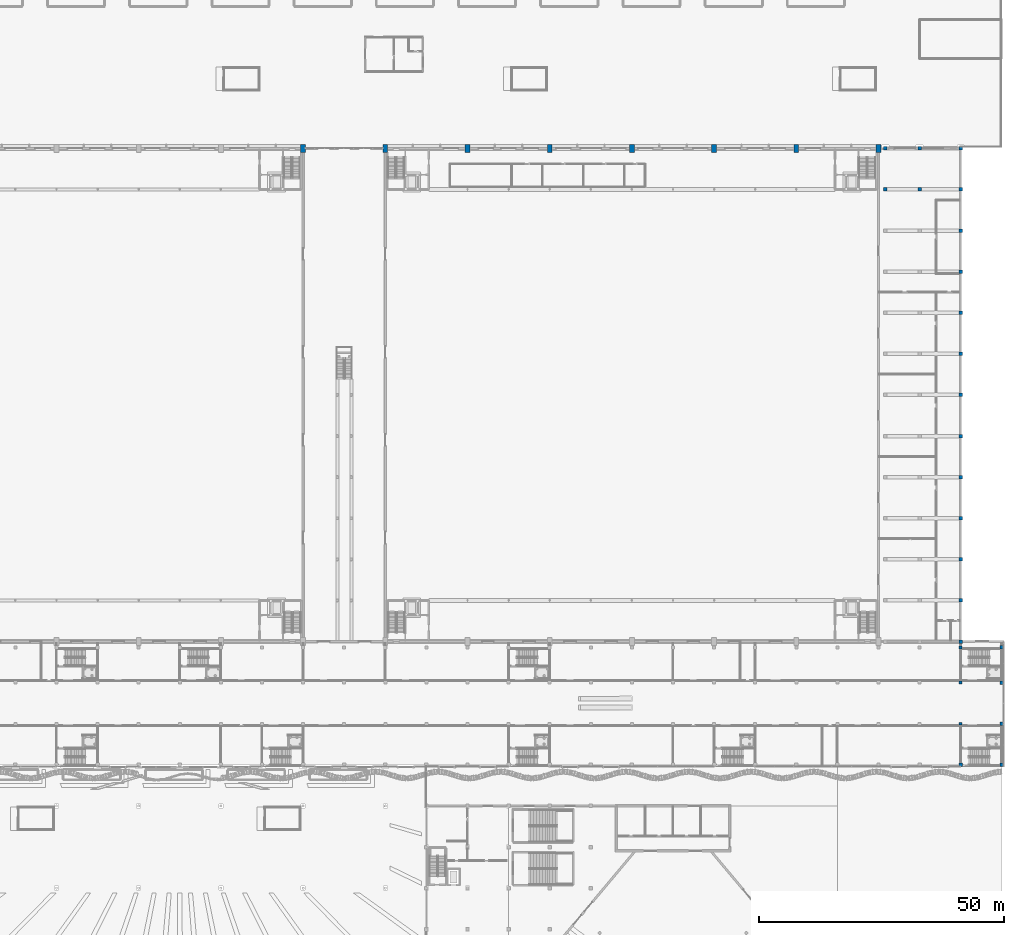
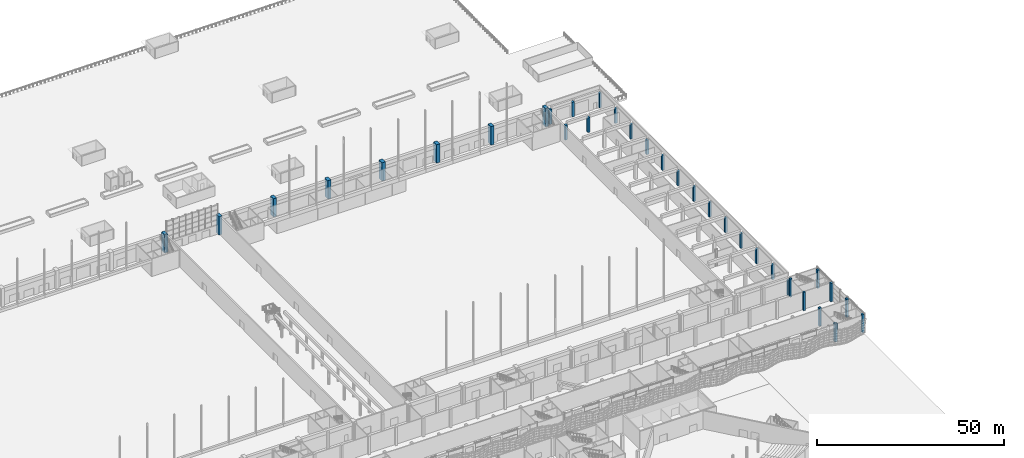
# One storey, part 20 of 210: 33 columns.
"""IFC4 building model written with IfcOpenShell, lengths in metres."""

from ifc_helpers import new_model, si_unit, direction, frame, origin, origin_2d, place, context, subcontext, project, spatial, rectangle, extrude, material, material_profile, profile_set, type_object, element, save


model = new_model("IFC4")

# Units and contexts
model_context = context("Model", 3, precision=1e-05, world=origin(), true_north=direction((0.0, 1.0)))
body_context = subcontext(model_context, "Body", "Model", "MODEL_VIEW")
ifc_project = project(units=[si_unit("LENGTHUNIT", "METRE"), si_unit("AREAUNIT", "SQUARE_METRE"), si_unit("VOLUMEUNIT", "CUBIC_METRE"), si_unit("PLANEANGLEUNIT", "RADIAN"), si_unit("MASSUNIT", "GRAM", prefix="KILO")], contexts=[model_context])

# Site, building, storey
site_placement = place(None, origin())
site = spatial("IfcSite", under=ifc_project, at=site_placement, CompositionType="ELEMENT")
building_placement = place(site_placement, origin())
building = spatial("IfcBuilding", under=site, at=building_placement, Name="Rain Tree Exposition and Congress Centre", CompositionType="ELEMENT")
storey_placement = place(building_placement, origin())
storey = spatial("IfcBuildingStorey", under=building, at=storey_placement, Name="L00", CompositionType="ELEMENT", Elevation=0.0)

# Columns
ifc_material_1 = material(Name="Precast concrete C50/60", Category="concrete")
ifc_material_profile_1 = material_profile(ifc_material_1, rectangle(XDim=1.0, YDim=1.60009765625, at=origin_2d()), Name="RC 1000x1600")
ifc_profile_set_1 = profile_set([ifc_material_profile_1], Name="Precast concrete C50/60")
column_type_1 = type_object("IfcColumnType", Name="Precast column 1000x1600", PredefinedType="COLUMN", material=ifc_profile_set_1)
for number, where, z_axis, x_axis, name in (
    (1, (126.0, 201.60009765625, 0.0), (0.0, 0.0, 1.0), (1.0, 0.0, 0.0), "Expressed column 16"),
    (2, (142.800048828125, 201.60009765625, 0.0), (0.0, 0.0, 1.0), (1.0, 0.0, 0.0), "Expressed column 8"),
    (3, (159.60009765625, 201.60009765625, 0.0), (0.0, 0.0, 1.0), (1.0, 0.0, 0.0), "Expressed column 9"),
    (4, (176.39990234375, 201.60009765625, 0.0), (0.0, 0.0, 1.0), (1.0, 0.0, 0.0), "Expressed column 10"),
    (5, (193.199951171875, 201.60009765625, 0.0), (0.0, 0.0, 1.0), (1.0, 0.0, 0.0), "Expressed column 11"),
    (6, (210.0, 201.60009765625, 0.0), (0.0, 0.0, 1.0), (1.0, 0.0, 0.0), "Expressed column 12"),
    (7, (226.800048828125, 201.60009765625, 0.0), (0.0, 0.0, 1.0), (1.0, 0.0, 0.0), "Expressed column 13"),
    (8, (243.60009765625, 201.60009765625, 0.0), (0.0, 0.0, 1.0), (1.0, 0.0, 0.0), "Expressed column 14"),
):
    element("IfcColumn", number, at=place(storey_placement, frame(where, z_axis=z_axis, x_axis=x_axis)), inside=storey, type_object=column_type_1, Name=name, PredefinedType="COLUMN", context=body_context, shape_type="SweptSolid", body=[
        extrude(rectangle(XDim=1.0, YDim=1.60009765625, at=origin_2d()), origin(), (0.0, 0.0, 1.0), 6.0),
    ])
ifc_material_2 = material(Name="Precast concrete C50/60", Category="concrete")
ifc_material_profile_2 = material_profile(ifc_material_2, rectangle(XDim=0.60009765625, YDim=0.60009765625, at=origin_2d()), Name="RC 600x600")
ifc_profile_set_2 = profile_set([ifc_material_profile_2], Name="Precast concrete C50/60")
column_type_2 = type_object("IfcColumnType", Name="Precast column 600x600", PredefinedType="COLUMN", material=ifc_profile_set_2)
for number, where, z_axis, x_axis, name in (
    (9, (260.39990234375, 84.0, 0.0), (0.0, 0.0, 1.0), (1.0, 0.0, 0.0), "Concourse column L00 B32"),
    (10, (260.39990234375, 92.39990234375, 0.0), (0.0, 0.0, 1.0), (1.0, 0.0, 0.0), "Concourse column L00 C32"),
    (11, (260.39990234375, 99.60009765625, 0.0), (0.0, 0.0, 1.0), (1.0, 0.0, 0.0), "Concourse column L00 D32"),
):
    element("IfcColumn", number, at=place(storey_placement, frame(where, z_axis=z_axis, x_axis=x_axis)), inside=storey, type_object=column_type_2, Name=name, PredefinedType="COLUMN", context=body_context, shape_type="SweptSolid", body=[
        extrude(rectangle(XDim=0.60009765625, YDim=0.60009765625, at=origin_2d()), origin(), (0.0, 0.0, 1.0), 6.0),
    ])
ifc_material_3 = material(Name="Precast concrete C50/60", Category="concrete")
ifc_material_profile_3 = material_profile(ifc_material_3, rectangle(XDim=0.699951171875, YDim=0.699951171875, at=origin_2d()), Name="RC 700x700")
ifc_profile_set_3 = profile_set([ifc_material_profile_3], Name="Precast concrete C50/60")
column_type_3 = type_object("IfcColumnType", Name="Precast column 700x700", PredefinedType="COLUMN", material=ifc_profile_set_3)
for number, where, z_axis, x_axis, name in (
    (12, (245.0, 193.199951171875, 0.0), (0.0, 0.0, 1.0), (1.0, 0.0, 0.0), "Service block column 12"),
    (13, (245.0, 201.60009765625, 0.0), (0.0, 0.0, 1.0), (1.0, 0.0, 0.0), "Service block column 13"),
    (14, (252.0, 193.199951171875, 0.0), (0.0, 0.0, 1.0), (1.0, 0.0, 0.0), "Service block column 25"),
    (15, (252.0, 201.60009765625, 0.0), (0.0, 0.0, 1.0), (1.0, 0.0, 0.0), "Service block column 26"),
    (16, (260.39990234375, 100.800048828125, 0.0), (0.0, 0.0, 1.0), (1.0, 0.0, 0.0), "Service block column 27"),
    (17, (260.39990234375, 109.199951171875, 0.0), (0.0, 0.0, 1.0), (1.0, 0.0, 0.0), "Service block column 28"),
    (18, (260.39990234375, 117.60009765625, 0.0), (0.0, 0.0, 1.0), (1.0, 0.0, 0.0), "Service block column 29"),
    (19, (260.39990234375, 126.0, 0.0), (0.0, 0.0, 1.0), (1.0, 0.0, 0.0), "Service block column 30"),
    (20, (260.39990234375, 134.39990234375, 0.0), (0.0, 0.0, 1.0), (1.0, 0.0, 0.0), "Service block column 31"),
    (21, (260.39990234375, 142.800048828125, 0.0), (0.0, 0.0, 1.0), (1.0, 0.0, 0.0), "Service block column 32"),
    (22, (260.39990234375, 151.199951171875, 0.0), (0.0, 0.0, 1.0), (1.0, 0.0, 0.0), "Service block column 33"),
    (23, (260.39990234375, 159.60009765625, 0.0), (0.0, 0.0, 1.0), (1.0, 0.0, 0.0), "Service block column 34"),
    (24, (260.39990234375, 168.0, 0.0), (0.0, 0.0, 1.0), (1.0, 0.0, 0.0), "Service block column 35"),
    (25, (260.39990234375, 176.39990234375, 0.0), (0.0, 0.0, 1.0), (1.0, 0.0, 0.0), "Service block column 36"),
    (26, (260.39990234375, 184.800048828125, 0.0), (0.0, 0.0, 1.0), (1.0, 0.0, 0.0), "Service block column 37"),
    (27, (260.39990234375, 193.199951171875, 0.0), (0.0, 0.0, 1.0), (1.0, 0.0, 0.0), "Service block column 38"),
    (28, (260.39990234375, 201.60009765625, 0.0), (0.0, 0.0, 1.0), (1.0, 0.0, 0.0), "Service block column 39"),
):
    element("IfcColumn", number, at=place(storey_placement, frame(where, z_axis=z_axis, x_axis=x_axis)), inside=storey, type_object=column_type_3, Name=name, PredefinedType="COLUMN", context=body_context, shape_type="SweptSolid", body=[
        extrude(rectangle(XDim=0.699951171875, YDim=0.699951171875, at=origin_2d()), origin(), (0.0, 0.0, 1.0), 4.800048828125),
    ])
for number, where, z_axis, x_axis, name in (
    (29, (260.39990234375, 75.60009765625, 0.0), (0.0, 0.0, 1.0), (1.0, 0.0, 0.0), "Concourse column L00 A32"),
    (30, (268.800048828125, 75.60009765625, 0.0), (0.0, 0.0, 1.0), (1.0, 0.0, 0.0), "Concourse column L00 A33"),
    (31, (268.800048828125, 84.0, 0.0), (0.0, 0.0, 1.0), (1.0, 0.0, 0.0), "Concourse column L00 B33"),
    (32, (268.800048828125, 92.39990234375, 0.0), (0.0, 0.0, 1.0), (1.0, 0.0, 0.0), "Concourse column L00 C33"),
    (33, (268.800048828125, 99.60009765625, 0.0), (0.0, 0.0, 1.0), (1.0, 0.0, 0.0), "Concourse column L00 D33"),
):
    element("IfcColumn", number, at=place(storey_placement, frame(where, z_axis=z_axis, x_axis=x_axis)), inside=storey, type_object=column_type_3, Name=name, PredefinedType="COLUMN", context=body_context, shape_type="SweptSolid", body=[
        extrude(rectangle(XDim=0.699951171875, YDim=0.699951171875, at=origin_2d()), origin(), (0.0, 0.0, 1.0), 6.0),
    ])

save(model, "model.ifc")
